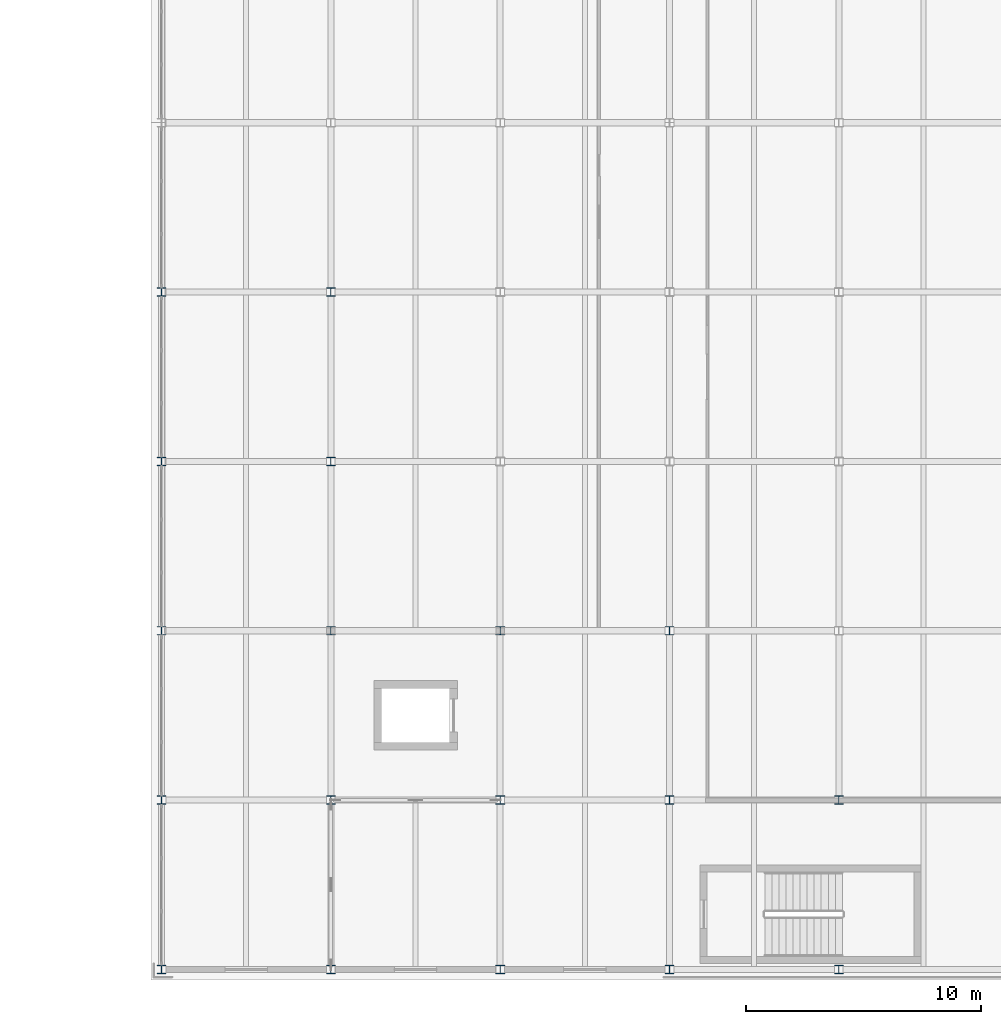
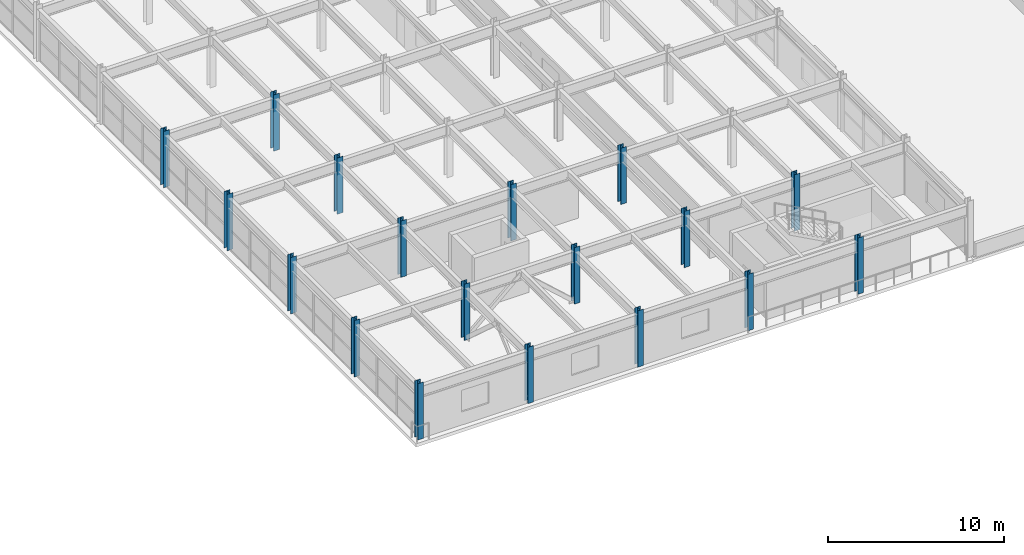
# One storey, part 9 of 80: 18 columns.
"""IFC4 building model written with IfcOpenShell, lengths in metres."""

from ifc_helpers import new_model, si_unit, direction, frame, origin, origin_2d, place, context, subcontext, project, spatial, i_section, extrude, material, material_profile, profile_set, type_object, element, save


model = new_model("IFC4")

# Units and contexts
model_context = context("Model", 3, precision=1e-05, world=origin(), true_north=direction((0.0, 1.0)))
body_context = subcontext(model_context, "Body", "Model", "MODEL_VIEW")
ifc_project = project(units=[si_unit("LENGTHUNIT", "METRE"), si_unit("AREAUNIT", "SQUARE_METRE"), si_unit("VOLUMEUNIT", "CUBIC_METRE"), si_unit("PLANEANGLEUNIT", "RADIAN"), si_unit("MASSUNIT", "GRAM", prefix="KILO")], contexts=[model_context])

# Site, building, storey
site_placement = place(None, origin())
site = spatial("IfcSite", under=ifc_project, at=site_placement, CompositionType="ELEMENT")
building_placement = place(site_placement, origin())
building = spatial("IfcBuilding", under=site, at=building_placement, Name="Vaelcorin Mobility Hub", CompositionType="ELEMENT")
storey_placement = place(building_placement, frame((0.0, 0.0, 9.300048828125)))
storey = spatial("IfcBuildingStorey", under=building, at=storey_placement, Name="L02", CompositionType="ELEMENT", Elevation=9.300048828125)

# Columns
ifc_material = material(Name="Steel ASTM A992 Grade 50", Category="steel")
ifc_material_profile = material_profile(ifc_material, i_section(OverallWidth=0.367919921875, OverallDepth=0.35595703125, WebThickness=0.01123046875, FlangeThickness=0.01806640625, FilletRadius=0.014892578125, at=origin_2d()), Name="W14X90")
ifc_profile_set = profile_set([ifc_material_profile], Name="Steel ASTM A992 Grade 50")
column_type = type_object("IfcColumnType", Name="COL-W14X90", PredefinedType="COLUMN", material=ifc_profile_set)
for number, where, z_axis, x_axis, name in (
    (1, (153.60009765625, 6.0, 0.0), (0.0, 0.0, 1.0), (1.0, 0.0, 0.0), "Column V5-X01Y01 L02"),
    (2, (153.60009765625, 13.199951171875, 0.0), (0.0, 0.0, 1.0), (1.0, 0.0, 0.0), "Column V5-X01Y02 L02"),
    (3, (153.60009765625, 20.39990234375, 0.0), (0.0, 0.0, 1.0), (1.0, 0.0, 0.0), "Column V5-X01Y03 L02"),
    (4, (153.60009765625, 27.60009765625, 0.0), (0.0, 0.0, 1.0), (1.0, 0.0, 0.0), "Column V5-X01Y04 L02"),
    (5, (153.60009765625, 34.800048828125, 0.0), (0.0, 0.0, 1.0), (1.0, 0.0, 0.0), "Column V5-X01Y05 L02"),
    (6, (160.800048828125, 6.0, 0.0), (0.0, 0.0, 1.0), (1.0, 0.0, 0.0), "Column V5-X02Y01 L02"),
    (7, (160.800048828125, 13.199951171875, 0.0), (0.0, 0.0, 1.0), (1.0, 0.0, 0.0), "Column V5-X02Y02 L02"),
    (8, (160.800048828125, 20.39990234375, 0.0), (0.0, 0.0, 1.0), (1.0, 0.0, 0.0), "Column V5-X02Y03 L02"),
    (9, (160.800048828125, 27.60009765625, 0.0), (0.0, 0.0, 1.0), (1.0, 0.0, 0.0), "Column V5-X02Y04 L02"),
    (10, (160.800048828125, 34.800048828125, 0.0), (0.0, 0.0, 1.0), (1.0, 0.0, 0.0), "Column V5-X02Y05 L02"),
    (11, (168.0, 6.0, 0.0), (0.0, 0.0, 1.0), (1.0, 0.0, 0.0), "Column V5-X03Y01 L02"),
    (12, (168.0, 13.199951171875, 0.0), (0.0, 0.0, 1.0), (1.0, 0.0, 0.0), "Column V5-X03Y02 L02"),
    (13, (168.0, 20.39990234375, 0.0), (0.0, 0.0, 1.0), (1.0, 0.0, 0.0), "Column V5-X03Y03 L02"),
    (14, (175.199951171875, 6.0, 0.0), (0.0, 0.0, 1.0), (1.0, 0.0, 0.0), "Column V5-X04Y01 L02"),
    (15, (175.199951171875, 13.199951171875, 0.0), (0.0, 0.0, 1.0), (1.0, 0.0, 0.0), "Column V5-X04Y02 L02"),
    (16, (175.199951171875, 20.39990234375, 0.0), (0.0, 0.0, 1.0), (1.0, 0.0, 0.0), "Column V5-X04Y03 L02"),
    (17, (182.39990234375, 6.0, 0.0), (0.0, 0.0, 1.0), (1.0, 0.0, 0.0), "Column V5-X05Y01 L02"),
    (18, (182.39990234375, 13.199951171875, 0.0), (0.0, 0.0, 1.0), (1.0, 0.0, 0.0), "Column V5-X05Y02 L02"),
):
    element("IfcColumn", number, at=place(storey_placement, frame(where, z_axis=z_axis, x_axis=x_axis)), inside=storey, type_object=column_type, Name=name, PredefinedType="COLUMN", context=body_context, shape_type="SweptSolid", body=[
        extrude(i_section(OverallWidth=0.367919921875, OverallDepth=0.35595703125, WebThickness=0.01123046875, FlangeThickness=0.01806640625, FilletRadius=0.014892578125, at=origin_2d()), origin(), (0.0, 0.0, 1.0), 3.89990234375),
    ])

save(model, "model.ifc")
